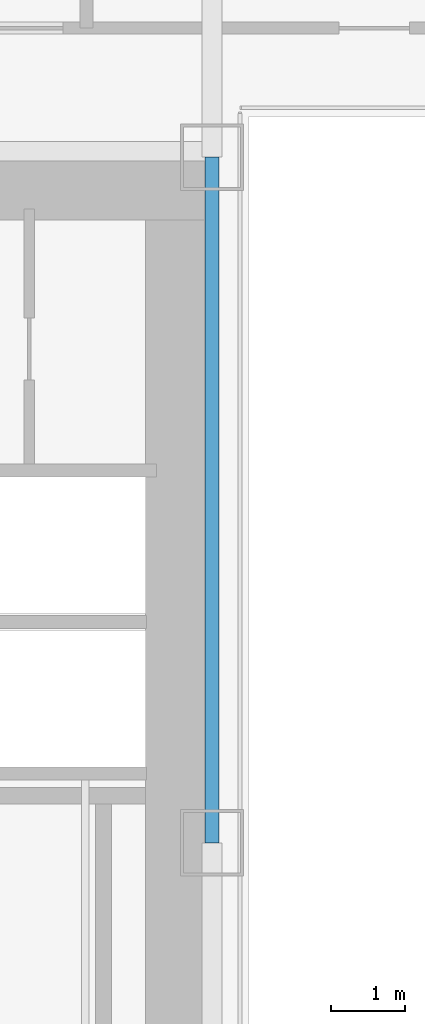
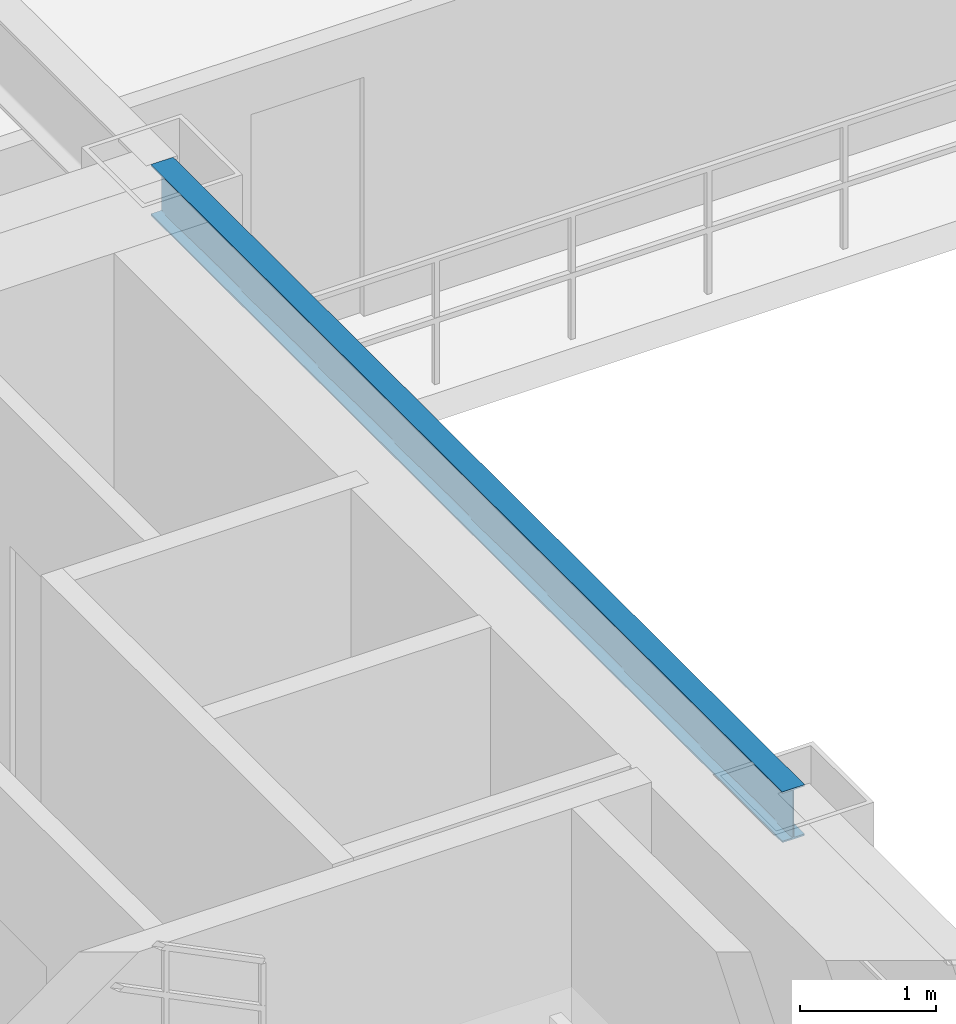
# One storey, part 9 of 35: 1 beam.
"""IFC4 building model written with IfcOpenShell, lengths in metres."""

import ifcopenshell
import ifcopenshell.guid

model = None  # the IFC model being written
_history = None  # IfcOwnerHistory: only IFC2X3 demands one
_inside = {}  # id of a spatial element -> (the spatial element, [elements in it])
_under = {}  # id of a project, library or spatial element -> (it, [spatial elements below it])
_declared = {}  # id of a project -> (the project, [libraries it declares])
_typed = {}  # id of a type object -> (the type object, [elements of that type])
_made_of = {}  # id of a material, layer set ... -> (it, [elements and type objects made of it])


def new_model(schema):
    """Start an empty IFC model of exactly this schema.

    Asked for "IFC4X3", IfcOpenShell would pick the latest addendum, in which some entities
    have other attributes; the version numbers below select the first issue.
    IFC2X3 requires an IfcOwnerHistory on every rooted entity: one is made here for all.
    """
    global model, _history
    if schema == "IFC4X3":
        model = ifcopenshell.file(schema_version=(4, 3, 0, 0))
    else:
        model = ifcopenshell.file(schema=schema)
    _inside.clear()
    _under.clear()
    _declared.clear()
    _typed.clear()
    _made_of.clear()
    _history = None
    if model.schema == "IFC2X3":
        org = make("IfcOrganization", Name="unknown")
        user = make(
            "IfcPersonAndOrganization",
            ThePerson=make("IfcPerson", FamilyName="unknown"),
            TheOrganization=org,
        )
        app = make(
            "IfcApplication",
            ApplicationDeveloper=org,
            Version="unknown",
            ApplicationFullName="unknown",
            ApplicationIdentifier="unknown",
        )
        _history = make(
            "IfcOwnerHistory",
            OwningUser=user,
            OwningApplication=app,
            ChangeAction="ADDED",
            CreationDate=0,
        )
    return model


def make(cls, **values):
    """One entity of the class cls with the attributes given. An attribute that is None is left unset."""
    return model.create_entity(
        cls, **{name: value for name, value in values.items() if value is not None}
    )


def rooted(cls, **values):
    """An entity with a GlobalId (a new one), such as an element, a storey or a relation."""
    return make(cls, GlobalId=ifcopenshell.guid.new(), OwnerHistory=_history, **values)


def si_unit(unit_type, name, prefix=None):
    """IfcSIUnit, for example si_unit("LENGTHUNIT", "METRE", prefix="MILLI")."""
    return make("IfcSIUnit", UnitType=unit_type, Prefix=prefix, Name=name)


def assignment(units):
    """IfcUnitAssignment: the units of a project."""
    return None if units is None else make("IfcUnitAssignment", Units=units)


def point(xyz):
    """IfcCartesianPoint."""
    return None if xyz is None else make("IfcCartesianPoint", Coordinates=xyz)


def direction(xyz):
    """IfcDirection."""
    return None if xyz is None else make("IfcDirection", DirectionRatios=xyz)


def frame(location, z_axis=None, x_axis=None):
    """IfcAxis2Placement3D, a coordinate frame: its origin and axes. An axis left out is left unset."""
    return make(
        "IfcAxis2Placement3D",
        Location=point(location),
        Axis=direction(z_axis),
        RefDirection=direction(x_axis),
    )


def frame_2d(location, x_axis=None):
    """IfcAxis2Placement2D, a coordinate frame in the plane: its origin and x axis."""
    return make(
        "IfcAxis2Placement2D", Location=point(location), RefDirection=direction(x_axis)
    )


def origin():
    """The frame at (0, 0, 0) with its axes left unset."""
    return frame((0.0, 0.0, 0.0))


def origin_2d():
    """The frame at (0, 0) in the plane with its x axis left unset."""
    return frame_2d((0.0, 0.0))


def place(relative_to, where):
    """IfcLocalPlacement: puts the frame where relative to a parent placement (None: the world)."""
    return make(
        "IfcLocalPlacement", PlacementRelTo=relative_to, RelativePlacement=where
    )


def context(
    kind, dimensions, precision=None, world=None, true_north=None, identifier=None
):
    """IfcGeometricRepresentationContext, for example the 3D "Model" context."""
    return make(
        "IfcGeometricRepresentationContext",
        ContextIdentifier=identifier,
        ContextType=kind,
        CoordinateSpaceDimension=dimensions,
        Precision=precision,
        WorldCoordinateSystem=world,
        TrueNorth=true_north,
    )


def subcontext(parent, identifier, kind, view, scale=None):
    """IfcGeometricRepresentationSubContext, for example "Body" below "Model"."""
    return make(
        "IfcGeometricRepresentationSubContext",
        ContextIdentifier=identifier,
        ContextType=kind,
        ParentContext=parent,
        TargetScale=scale,
        TargetView=view,
    )


def project(units=None, contexts=None):
    """IfcProject with its units and contexts."""
    return rooted(
        "IfcProject",
        Name="project",
        RepresentationContexts=contexts,
        UnitsInContext=assignment(units),
    )


def spatial(cls, under=None, at=None, **own):
    """A site, building, storey or space (cls), placed at a placement, below another one or the project."""
    s = rooted(cls, ObjectPlacement=at, **own)
    if under is not None:
        _under.setdefault(under.id(), (under, []))[1].append(s)
    return s


def profile(cls, at=None, kind="AREA", **sizes):
    """A parametric profile (cls). Its sizes go by their IFC names, for example OverallWidth=200.0."""
    return make(cls, ProfileType=kind, Position=at, **sizes)


def i_section(**sizes):
    """IfcIShapeProfileDef."""
    return profile("IfcIShapeProfileDef", **sizes)


def extrude(swept, where, along, depth):
    """IfcExtrudedAreaSolid: the profile swept, set in the frame where, extruded along a direction by depth."""
    return make(
        "IfcExtrudedAreaSolid",
        SweptArea=swept,
        Position=where,
        ExtrudedDirection=direction(along),
        Depth=depth,
    )


def shape(context_of_items, identifier, shape_type, items):
    """IfcShapeRepresentation: the items that make up one representation, for example the "Body"."""
    return make(
        "IfcShapeRepresentation",
        ContextOfItems=context_of_items,
        RepresentationIdentifier=identifier,
        RepresentationType=shape_type,
        Items=items,
    )


def source(mapping_origin, context_of_items, identifier, shape_type, items):
    """IfcRepresentationMap: a shape defined once, which mapped items show again and again."""
    return make(
        "IfcRepresentationMap",
        MappingOrigin=mapping_origin,
        MappedRepresentation=shape(context_of_items, identifier, shape_type, items),
    )


def transform(
    local_origin,
    x_axis=None,
    y_axis=None,
    z_axis=None,
    scale=None,
    scale2=None,
    scale3=None,
    uniform=True,
):
    """IfcCartesianTransformationOperator3D, or its non-uniform kind. x_axis, y_axis, z_axis: its Axis1, 2, 3."""
    if uniform:
        return make(
            "IfcCartesianTransformationOperator3D",
            Axis1=direction(x_axis),
            Axis2=direction(y_axis),
            LocalOrigin=point(local_origin),
            Scale=scale,
            Axis3=direction(z_axis),
        )
    return make(
        "IfcCartesianTransformationOperator3DnonUniform",
        Axis1=direction(x_axis),
        Axis2=direction(y_axis),
        LocalOrigin=point(local_origin),
        Scale=scale,
        Axis3=direction(z_axis),
        Scale2=scale2,
        Scale3=scale3,
    )


def mapped(mapping_source, mapping_target):
    """IfcMappedItem: shows the shape of a source again, moved by a transform."""
    return make(
        "IfcMappedItem", MappingSource=mapping_source, MappingTarget=mapping_target
    )


def material(Name=None, Category=None):
    """IfcMaterial."""
    return make("IfcMaterial", Name=Name, Category=Category)


def material_profile(
    of_material, cross_section, Name=None, Category=None, Priority=None
):
    """IfcMaterialProfile: a cross section and its material."""
    return make(
        "IfcMaterialProfile",
        Name=Name,
        Material=of_material,
        Profile=cross_section,
        Priority=Priority,
        Category=Category,
    )


def profile_set(profiles, Name=None, composite=None):
    """IfcMaterialProfileSet."""
    return make(
        "IfcMaterialProfileSet",
        Name=Name,
        MaterialProfiles=profiles,
        CompositeProfile=composite,
    )


def made_of(thing, what):
    """Note that an element or type object is made of a material, layer set ...; save() writes the relation."""
    if what is not None:
        _made_of.setdefault(what.id(), (what, []))[1].append(thing)
    return thing


def type_object(cls, material=None, **own):
    """A type object (cls), such as IfcWallType, which elements share."""
    return made_of(rooted(cls, **own), material)


def element(
    cls,
    number,
    at=None,
    inside=None,
    cuts=None,
    type_object=None,
    material=None,
    context=None,
    identifier="Body",
    shape_type=None,
    held_by="IfcProductDefinitionShape",
    body=None,
    shapes=None,
    **own,
):
    """One element of the class cls, such as IfcWall. Its Tag is "e" and its number.

    at: its placement. inside: the storey or other place that contains it. cuts: it is an
    opening in that element (IfcRelVoidsElement). A single representation is given by context,
    identifier, shape_type and body (its items); several are given by shapes. held_by: the class
    of the entity that holds the representations. save() writes the other relations.
    """
    e = rooted(cls, Tag="e%d" % number, ObjectPlacement=at, **own)
    if body is not None:
        shapes = [shape(context, identifier, shape_type, body)]
    if shapes is not None:
        e.Representation = make(held_by, Representations=shapes)
    if inside is not None:
        _inside.setdefault(inside.id(), (inside, []))[1].append(e)
    if cuts is not None:
        rooted(
            "IfcRelVoidsElement", RelatingBuildingElement=cuts, RelatedOpeningElement=e
        )
    if type_object is not None:
        _typed.setdefault(type_object.id(), (type_object, []))[1].append(e)
    return made_of(e, material)


def aggregate(whole, parts):
    """IfcRelAggregates: a whole, such as a stair, and the parts it consists of."""
    return rooted("IfcRelAggregates", RelatingObject=whole, RelatedObjects=parts)


def save(model, path):
    """Write the relations noted so far, then the file.

    IfcRelAggregates (storeys below a building ...), IfcRelContainedInSpatialStructure (elements
    in a storey), IfcRelDefinesByType, IfcRelAssociatesMaterial and IfcRelDeclares: one each for
    every whole, place, type object, material and project.
    """
    for whole, parts in _under.values():
        aggregate(whole, parts)
    for where, things in _inside.values():
        rooted(
            "IfcRelContainedInSpatialStructure",
            RelatedElements=things,
            RelatingStructure=where,
        )
    for kind, things in _typed.values():
        rooted("IfcRelDefinesByType", RelatedObjects=things, RelatingType=kind)
    for what, things in _made_of.values():
        rooted("IfcRelAssociatesMaterial", RelatedObjects=things, RelatingMaterial=what)
    for by, libraries in _declared.values():
        rooted("IfcRelDeclares", RelatingContext=by, RelatedDefinitions=libraries)
    model.write(path)


model = new_model("IFC4")

# Units and contexts
model_context = context("Model", 3, precision=1e-05, world=origin(), true_north=direction((0.0, 1.0)))
body_context = subcontext(model_context, "Body", "Model", "MODEL_VIEW")
ifc_project = project(units=[si_unit("LENGTHUNIT", "METRE"), si_unit("AREAUNIT", "SQUARE_METRE"), si_unit("VOLUMEUNIT", "CUBIC_METRE"), si_unit("PLANEANGLEUNIT", "RADIAN"), si_unit("MASSUNIT", "GRAM", prefix="KILO")], contexts=[model_context])

# Site, building, storey
site_placement = place(None, origin())
site = spatial("IfcSite", under=ifc_project, at=site_placement, CompositionType="ELEMENT")
building_placement = place(site_placement, origin())
building = spatial("IfcBuilding", under=site, at=building_placement, Name="Ocotamira Hotel", CompositionType="ELEMENT")
storey_placement = place(building_placement, frame((0.0, 0.0, 56.39990234375)))
storey = spatial("IfcBuildingStorey", under=building, at=storey_placement, Name="L13", CompositionType="ELEMENT", Elevation=56.39990234375)

# Beam
ifc_material = material(Name="Steel ASTM A992 Grade 50", Category="steel")
ifc_material_profile = material_profile(ifc_material, i_section(OverallWidth=0.18994140625, OverallDepth=0.45703125, WebThickness=0.009033203125, FlangeThickness=0.014404296875, FilletRadius=0.010009765625, at=origin_2d()), Name="W18X50")
ifc_profile_set = profile_set([ifc_material_profile], Name="Steel ASTM A992 Grade 50")
beam_type = type_object("IfcBeamType", Name="BM-SEC-W18X50", PredefinedType="JOIST", material=ifc_profile_set)
shared_shape = source(origin(), body_context, "Body", "SweptSolid", [
    extrude(i_section(OverallWidth=0.18994140625, OverallDepth=0.45703125, WebThickness=0.009033203125, FlangeThickness=0.014404296875, FilletRadius=0.010009765625, at=origin_2d()), origin(), (0.0, 0.0, 1.0), 9.300048828125),
])
beam_placement = place(storey_placement, frame((23.5, 28.14990234375, 3.12158203125), z_axis=(0.0, 1.0, 0.0), x_axis=(-1.0, 0.0, 0.0)))
element("IfcBeam", 1, at=beam_placement, inside=storey, type_object=beam_type, Name="L13 Beam X23.5 Y28.15-37.45", PredefinedType="JOIST", context=body_context, shape_type="MappedRepresentation", body=[
    mapped(shared_shape, transform((0.0, 0.0, 0.0), scale=1.0)),
])

save(model, "model.ifc")
